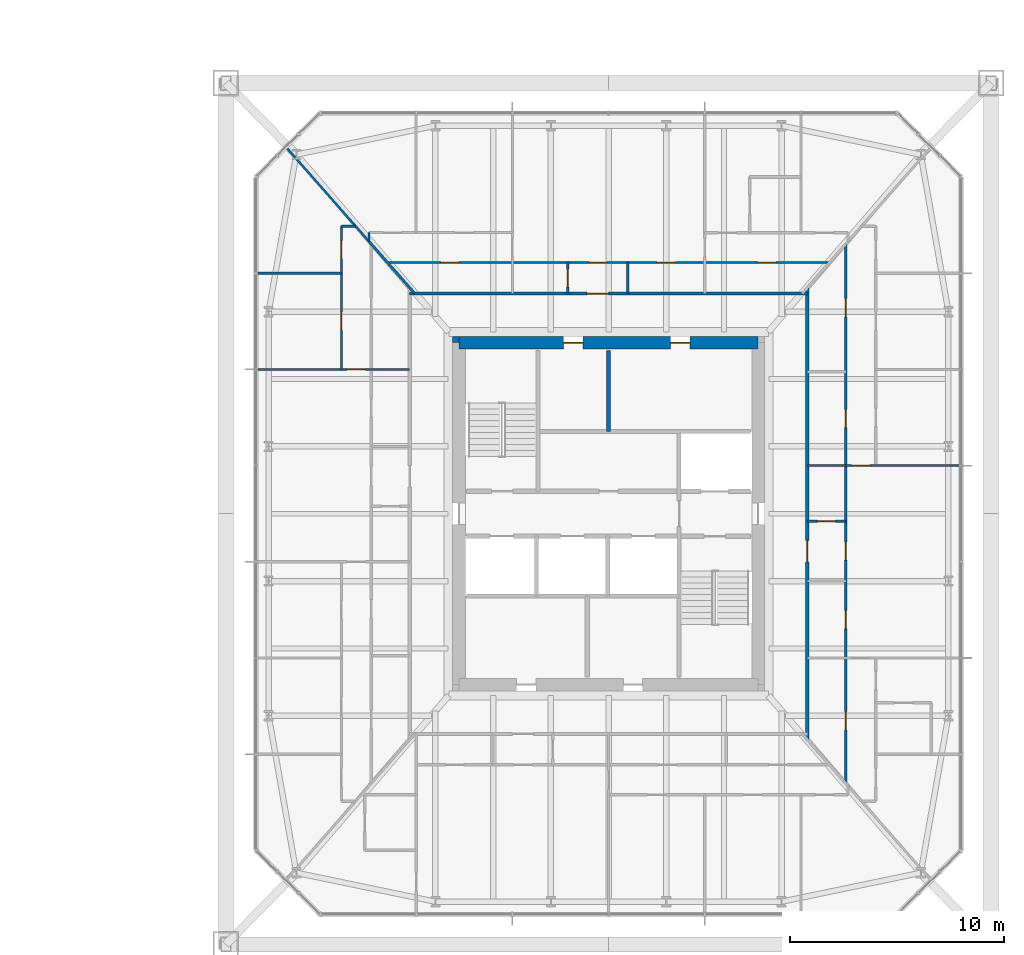
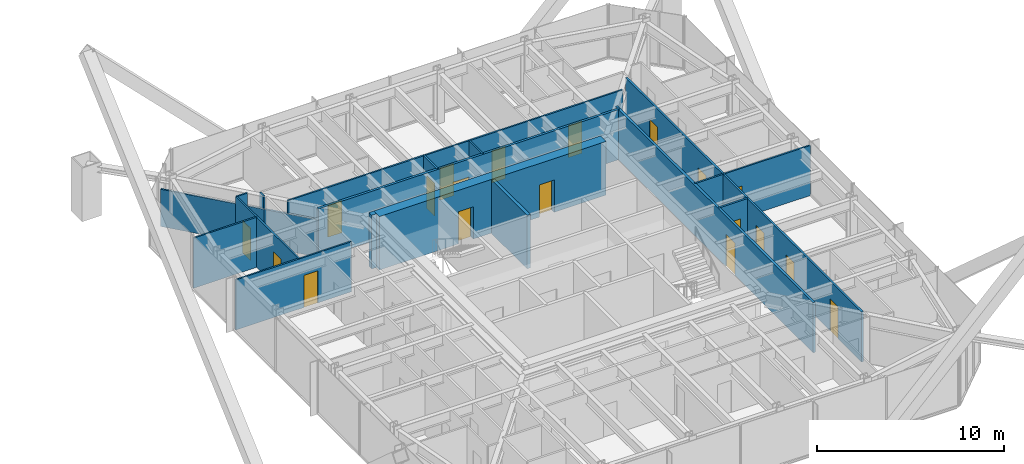
# One storey, part 21 of 27: 19 doors, 18 walls, 19 openings.
"""IFC4 building model written with IfcOpenShell, lengths in metres."""

from ifc_helpers import new_model, si_unit, direction, frame, frame_2d, origin, place, context, subcontext, project, spatial, rectangle, extrude, material, layer, layer_set, type_object, element, fill, save


model = new_model("IFC4")

# Units and contexts
model_context = context("Model", 3, precision=1e-05, world=origin(), true_north=direction((0.0, 1.0)))
body_context = subcontext(model_context, "Body", "Model", "MODEL_VIEW")
ifc_project = project(units=[si_unit("LENGTHUNIT", "METRE"), si_unit("AREAUNIT", "SQUARE_METRE"), si_unit("VOLUMEUNIT", "CUBIC_METRE"), si_unit("PLANEANGLEUNIT", "RADIAN"), si_unit("MASSUNIT", "GRAM", prefix="KILO")], contexts=[model_context])

# Site, building, storey
site_placement = place(None, origin())
site = spatial("IfcSite", under=ifc_project, at=site_placement, CompositionType="ELEMENT")
building_placement = place(site_placement, origin())
building = spatial("IfcBuilding", under=site, at=building_placement, Name="Iwan Alto Co-Living Towers", CompositionType="ELEMENT")
storey_placement = place(building_placement, frame((0.0, 0.0, 25.5)))
storey = spatial("IfcBuildingStorey", under=building, at=storey_placement, Name="L06", CompositionType="ELEMENT", Elevation=25.5)

# Wall, opening, door
ifc_material_1 = material(Name="Gypsum board")
ifc_layer_1 = layer(ifc_material_1, 0.02490234375, Name="Board", Category="Finish")
ifc_material_2 = material(Name="Steel ASTM A1003 ST33H cold-formed studs", Category="steel")
ifc_layer_2 = layer(ifc_material_2, 0.10009765625, Name="Studs", Category="Framing")
ifc_layer_3 = layer(ifc_material_1, 0.02490234375, Name="Board", Category="Finish")
ifc_layer_set_1 = layer_set([ifc_layer_1, ifc_layer_2, ifc_layer_3], Name="CORRIDOR WALL 150")
wall_type_1 = type_object("IfcWallType", Name="CORRIDOR WALL 150", PredefinedType="PARTITIONING", material=ifc_layer_set_1)
wall_1_placement = place(storey_placement, frame((53.699951171875, 10.300048828125, 0.0), z_axis=(0.0, 0.0, 1.0), x_axis=(1.0, 0.0, 0.0)))
wall_1 = element("IfcWall", 1, at=wall_1_placement, inside=storey, type_object=wall_type_1, Name="Partition L06", PredefinedType="PARTITIONING", context=body_context, shape_type="SweptSolid", body=[
    extrude(rectangle(XDim=18.60009765625, YDim=0.14990234375, at=frame_2d((9.300048828125, 0.0))), origin(), (0.0, 0.0, 1.0), 3.27001953125),
])
opening_1_placement = place(wall_1_placement, frame((8.300048828125, 0.0, 0.0)))
opening_1 = element("IfcOpeningElement", 2, at=opening_1_placement, cuts=wall_1, Name="Opening D3", PredefinedType="OPENING", context=body_context, shape_type="SweptSolid", body=[
    extrude(rectangle(XDim=1.0, YDim=2.10009765625, at=frame_2d((0.5, 1.050048828125))), frame((0.0, 0.0849609375, 0.0), z_axis=(0.0, -1.0, 0.0), x_axis=(1.0, 0.0, 0.0)), (0.0, 0.0, 1.0), 0.169921875),
])
ifc_material_3 = material(Name="Steel frame with timber leaf", Category="steel")
door_type_1 = type_object("IfcDoorType", Name="FLAT ENTRANCE DOOR FD30S 1000X2100", OperationType="SINGLE_SWING_LEFT", PredefinedType="DOOR", material=ifc_material_3)
door_1_placement = place(opening_1_placement, origin())
door_1 = element("IfcDoor", 3, at=door_1_placement, inside=storey, type_object=door_type_1, Name="Apartment foyer door L06", OperationType="SINGLE_SWING_LEFT", OverallHeight=2.10009765625, OverallWidth=1.0, PredefinedType="DOOR", context=body_context, shape_type="SweptSolid", body=[
    extrude(rectangle(XDim=1.0, YDim=2.10009765625, at=frame_2d((0.5, 1.050048828125))), frame((0.0, 0.02490234375, 0.0), z_axis=(0.0, -1.0, 0.0), x_axis=(1.0, 0.0, 0.0)), (0.0, 0.0, 1.0), 0.050048828125),
])
fill(opening_1, door_1)

wall_2_placement = place(storey_placement, frame((72.300048828125, -10.568115234375, 0.0), z_axis=(0.0, 0.0, 1.0), x_axis=(0.0, 1.0, 0.0)))
wall_2 = element("IfcWall", 4, at=wall_2_placement, inside=storey, type_object=wall_type_1, Name="Partition L06", PredefinedType="PARTITIONING", context=body_context, shape_type="SweptSolid", body=[
    extrude(rectangle(XDim=21.13623046875, YDim=0.14990234375, at=frame_2d((10.568115234375, 0.0))), origin(), (0.0, 0.0, 1.0), 3.27001953125),
])
opening_2_placement = place(wall_2_placement, frame((8.318115234375, 0.0, 0.0)))
opening_2 = element("IfcOpeningElement", 5, at=opening_2_placement, cuts=wall_2, Name="Opening D3", PredefinedType="OPENING", context=body_context, shape_type="SweptSolid", body=[
    extrude(rectangle(XDim=1.0, YDim=2.10009765625, at=frame_2d((0.5, 1.050048828125))), frame((0.0, 0.0849609375, 0.0), z_axis=(0.0, -1.0, 0.0), x_axis=(1.0, 0.0, 0.0)), (0.0, 0.0, 1.0), 0.169921875),
])
door_2_placement = place(opening_2_placement, frame((1.0, 0.0, 0.0), z_axis=(0.0, 0.0, 1.0), x_axis=(-1.0, 0.0, 0.0)))
door_2 = element("IfcDoor", 6, at=door_2_placement, inside=storey, type_object=door_type_1, Name="Apartment foyer door L06", OperationType="SINGLE_SWING_RIGHT", OverallHeight=2.10009765625, OverallWidth=1.0, PredefinedType="DOOR", context=body_context, shape_type="SweptSolid", body=[
    extrude(rectangle(XDim=1.0, YDim=2.10009765625, at=frame_2d((0.5, 1.050048828125))), frame((0.0, 0.02490234375, 0.0), z_axis=(0.0, -1.0, 0.0), x_axis=(1.0, 0.0, 0.0)), (0.0, 0.0, 1.0), 0.050048828125),
])
fill(opening_2, door_2)

ifc_layer_4 = layer(ifc_material_1, 0.012451171875, Name="Board", Category="Finish")
ifc_layer_5 = layer(ifc_material_2, 0.074951171875, Name="Studs", Category="Framing")
ifc_layer_6 = layer(ifc_material_1, 0.012451171875, Name="Board", Category="Finish")
ifc_layer_set_2 = layer_set([ifc_layer_4, ifc_layer_5, ifc_layer_6], Name="PARTITION 100")
wall_type_2 = type_object("IfcWallType", Name="PARTITION 100", PredefinedType="PARTITIONING", material=ifc_layer_set_2)
wall_3_placement = place(storey_placement, frame((72.300048828125, 2.25, 0.0), z_axis=(0.0, 0.0, 1.0), x_axis=(1.0, 0.0, 0.0)))
wall_3 = element("IfcWall", 7, at=wall_3_placement, inside=storey, type_object=wall_type_2, Name="Partition L06", PredefinedType="PARTITIONING", context=body_context, shape_type="SweptSolid", body=[
    extrude(rectangle(XDim=7.139892578125, YDim=0.10009765625, at=frame_2d((3.56982421875, 0.0))), origin(), (0.0, 0.0, 1.0), 3.27001953125),
])
opening_3_placement = place(wall_3_placement, frame((2.074951171875, 0.0, 0.0)))
opening_3 = element("IfcOpeningElement", 8, at=opening_3_placement, cuts=wall_3, Name="Opening D2", PredefinedType="OPENING", context=body_context, shape_type="SweptSolid", body=[
    extrude(rectangle(XDim=0.85009765625, YDim=2.10009765625, at=frame_2d((0.425048828125, 1.050048828125))), frame((0.0, 0.06005859375, 0.0), z_axis=(0.0, -1.0, 0.0), x_axis=(1.0, 0.0, 0.0)), (0.0, 0.0, 1.0), 0.1201171875),
])
ifc_material_4 = material(Name="Timber leaf in steel frame", Category="steel")
door_type_2 = type_object("IfcDoorType", Name="ROOM DOOR 850X2100", OperationType="SINGLE_SWING_LEFT", PredefinedType="DOOR", material=ifc_material_4)
door_3_placement = place(opening_3_placement, frame((0.85009765625, 0.0, 0.0), z_axis=(0.0, 0.0, 1.0), x_axis=(-1.0, 0.0, 0.0)))
door_3 = element("IfcDoor", 9, at=door_3_placement, inside=storey, type_object=door_type_2, Name="Apartment hall door L06", OperationType="SINGLE_SWING_RIGHT", OverallHeight=2.10009765625, OverallWidth=0.85009765625, PredefinedType="DOOR", context=body_context, shape_type="SweptSolid", body=[
    extrude(rectangle(XDim=0.85009765625, YDim=2.10009765625, at=frame_2d((0.425048828125, 1.050048828125))), frame((0.0, 0.02490234375, 0.0), z_axis=(0.0, -1.0, 0.0), x_axis=(1.0, 0.0, 0.0)), (0.0, 0.0, 1.0), 0.050048828125),
])
fill(opening_3, door_3)

wall_4_placement = place(storey_placement, frame((46.56005859375, 6.75, 0.0), z_axis=(0.0, 0.0, 1.0), x_axis=(1.0, 0.0, 0.0)))
wall_4 = element("IfcWall", 10, at=wall_4_placement, inside=storey, type_object=wall_type_2, Name="Partition L06", PredefinedType="PARTITIONING", context=body_context, shape_type="SweptSolid", body=[
    extrude(rectangle(XDim=7.139892578125, YDim=0.10009765625, at=frame_2d((3.56982421875, 0.0))), origin(), (0.0, 0.0, 1.0), 3.27001953125),
])
opening_4_placement = place(wall_4_placement, frame((4.215087890625, 0.0, 0.0)))
opening_4 = element("IfcOpeningElement", 11, at=opening_4_placement, cuts=wall_4, Name="Opening D2", PredefinedType="OPENING", context=body_context, shape_type="SweptSolid", body=[
    extrude(rectangle(XDim=0.85009765625, YDim=2.10009765625, at=frame_2d((0.425048828125, 1.050048828125))), frame((0.0, 0.06005859375, 0.0), z_axis=(0.0, -1.0, 0.0), x_axis=(1.0, 0.0, 0.0)), (0.0, 0.0, 1.0), 0.1201171875),
])
door_4_placement = place(opening_4_placement, frame((0.85009765625, 0.0, 0.0), z_axis=(0.0, 0.0, 1.0), x_axis=(-1.0, 0.0, 0.0)))
door_4 = element("IfcDoor", 12, at=door_4_placement, inside=storey, type_object=door_type_2, Name="Apartment hall door L06", OperationType="SINGLE_SWING_LEFT", OverallHeight=2.10009765625, OverallWidth=0.85009765625, PredefinedType="DOOR", context=body_context, shape_type="SweptSolid", body=[
    extrude(rectangle(XDim=0.85009765625, YDim=2.10009765625, at=frame_2d((0.425048828125, 1.050048828125))), frame((0.0, 0.02490234375, 0.0), z_axis=(0.0, -1.0, 0.0), x_axis=(1.0, 0.0, 0.0)), (0.0, 0.0, 1.0), 0.050048828125),
])
fill(opening_4, door_4)

# Wall
wall_5_placement = place(storey_placement, frame((46.56005859375, 11.25, 0.0), z_axis=(0.0, 0.0, 1.0), x_axis=(1.0, 0.0, 0.0)))
element("IfcWall", 13, at=wall_5_placement, inside=storey, type_object=wall_type_2, Name="Partition L06", PredefinedType="PARTITIONING", context=body_context, shape_type="SweptSolid", body=[
    extrude(rectangle(XDim=3.93994140625, YDim=0.10009765625, at=frame_2d((1.969970703125, 0.0))), origin(), (0.0, 0.0, 1.0), 3.27001953125),
])

# Wall, openings, doors
wall_6_placement = place(storey_placement, frame((52.659912109375, 11.75, 0.0), z_axis=(0.0, 0.0, 1.0), x_axis=(1.0, 0.0, 0.0)))
wall_6 = element("IfcWall", 14, at=wall_6_placement, inside=storey, type_object=wall_type_2, Name="Partition L06", PredefinedType="PARTITIONING", context=body_context, shape_type="SweptSolid", body=[
    extrude(rectangle(XDim=20.68017578125, YDim=0.10009765625, at=frame_2d((10.340087890625, 0.0))), origin(), (0.0, 0.0, 1.0), 3.27001953125),
])
opening_5_placement = place(wall_6_placement, frame((12.614990234375, 0.0, 0.0)))
opening_5 = element("IfcOpeningElement", 15, at=opening_5_placement, cuts=wall_6, Name="Opening D2", PredefinedType="OPENING", context=body_context, shape_type="SweptSolid", body=[
    extrude(rectangle(XDim=0.85009765625, YDim=2.10009765625, at=frame_2d((0.425048828125, 1.050048828125))), frame((0.0, 0.06005859375, 0.0), z_axis=(0.0, -1.0, 0.0), x_axis=(1.0, 0.0, 0.0)), (0.0, 0.0, 1.0), 0.1201171875),
])
opening_6_placement = place(wall_6_placement, frame((9.4150390625, 0.0, 0.0)))
opening_6 = element("IfcOpeningElement", 16, at=opening_6_placement, cuts=wall_6, Name="Opening D2", PredefinedType="OPENING", context=body_context, shape_type="SweptSolid", body=[
    extrude(rectangle(XDim=0.85009765625, YDim=2.10009765625, at=frame_2d((0.425048828125, 1.050048828125))), frame((0.0, 0.06005859375, 0.0), z_axis=(0.0, -1.0, 0.0), x_axis=(1.0, 0.0, 0.0)), (0.0, 0.0, 1.0), 0.1201171875),
])
opening_7_placement = place(wall_6_placement, frame((17.3349609375, 0.0, 0.0)))
opening_7 = element("IfcOpeningElement", 17, at=opening_7_placement, cuts=wall_6, Name="Opening D2", PredefinedType="OPENING", context=body_context, shape_type="SweptSolid", body=[
    extrude(rectangle(XDim=0.85009765625, YDim=2.10009765625, at=frame_2d((0.425048828125, 1.050048828125))), frame((0.0, 0.06005859375, 0.0), z_axis=(0.0, -1.0, 0.0), x_axis=(1.0, 0.0, 0.0)), (0.0, 0.0, 1.0), 0.1201171875),
])
opening_8_placement = place(wall_6_placement, frame((2.4951171875, 0.0, 0.0)))
opening_8 = element("IfcOpeningElement", 18, at=opening_8_placement, cuts=wall_6, Name="Opening D2", PredefinedType="OPENING", context=body_context, shape_type="SweptSolid", body=[
    extrude(rectangle(XDim=0.85009765625, YDim=2.10009765625, at=frame_2d((0.425048828125, 1.050048828125))), frame((0.0, 0.06005859375, 0.0), z_axis=(0.0, -1.0, 0.0), x_axis=(1.0, 0.0, 0.0)), (0.0, 0.0, 1.0), 0.1201171875),
])
door_5_placement = place(opening_5_placement, origin())
door_5 = element("IfcDoor", 19, at=door_5_placement, inside=storey, type_object=door_type_2, Name="Kitchen door L06", OperationType="SINGLE_SWING_RIGHT", OverallHeight=2.10009765625, OverallWidth=0.85009765625, PredefinedType="DOOR", context=body_context, shape_type="SweptSolid", body=[
    extrude(rectangle(XDim=0.85009765625, YDim=2.10009765625, at=frame_2d((0.425048828125, 1.050048828125))), frame((0.0, 0.02490234375, 0.0), z_axis=(0.0, -1.0, 0.0), x_axis=(1.0, 0.0, 0.0)), (0.0, 0.0, 1.0), 0.050048828125),
])
fill(opening_5, door_5)
door_6_placement = place(opening_6_placement, origin())
door_6 = element("IfcDoor", 20, at=door_6_placement, inside=storey, type_object=door_type_2, Name="Apartment foyer door L06", OperationType="SINGLE_SWING_LEFT", OverallHeight=2.10009765625, OverallWidth=0.85009765625, PredefinedType="DOOR", context=body_context, shape_type="SweptSolid", body=[
    extrude(rectangle(XDim=0.85009765625, YDim=2.10009765625, at=frame_2d((0.425048828125, 1.050048828125))), frame((0.0, 0.02490234375, 0.0), z_axis=(0.0, -1.0, 0.0), x_axis=(1.0, 0.0, 0.0)), (0.0, 0.0, 1.0), 0.050048828125),
])
fill(opening_6, door_6)
door_7_placement = place(opening_7_placement, frame((0.85009765625, 0.0, 0.0), z_axis=(0.0, 0.0, 1.0), x_axis=(-1.0, 0.0, 0.0)))
door_7 = element("IfcDoor", 21, at=door_7_placement, inside=storey, type_object=door_type_2, Name="Utility room door L06", OperationType="SINGLE_SWING_LEFT", OverallHeight=2.10009765625, OverallWidth=0.85009765625, PredefinedType="DOOR", context=body_context, shape_type="SweptSolid", body=[
    extrude(rectangle(XDim=0.85009765625, YDim=2.10009765625, at=frame_2d((0.425048828125, 1.050048828125))), frame((0.0, 0.02490234375, 0.0), z_axis=(0.0, -1.0, 0.0), x_axis=(1.0, 0.0, 0.0)), (0.0, 0.0, 1.0), 0.050048828125),
])
fill(opening_7, door_7)
door_8_placement = place(opening_8_placement, frame((0.85009765625, 0.0, 0.0), z_axis=(0.0, 0.0, 1.0), x_axis=(-1.0, 0.0, 0.0)))
door_8 = element("IfcDoor", 22, at=door_8_placement, inside=storey, type_object=door_type_2, Name="Utility room door L06", OperationType="SINGLE_SWING_RIGHT", OverallHeight=2.10009765625, OverallWidth=0.85009765625, PredefinedType="DOOR", context=body_context, shape_type="SweptSolid", body=[
    extrude(rectangle(XDim=0.85009765625, YDim=2.10009765625, at=frame_2d((0.425048828125, 1.050048828125))), frame((0.0, 0.02490234375, 0.0), z_axis=(0.0, -1.0, 0.0), x_axis=(1.0, 0.0, 0.0)), (0.0, 0.0, 1.0), 0.050048828125),
])
fill(opening_8, door_8)

# Walls
wall_7_placement = place(storey_placement, frame((50.5, 13.449951171875, 0.0), z_axis=(0.0, 0.0, 1.0), x_axis=(1.0, 0.0, 0.0)))
element("IfcWall", 23, at=wall_7_placement, inside=storey, type_object=wall_type_2, Name="Partition L06", PredefinedType="PARTITIONING", context=body_context, shape_type="SweptSolid", body=[
    extrude(rectangle(XDim=0.6640625, YDim=0.10009765625, at=frame_2d((0.33203125, 0.0))), origin(), (0.0, 0.0, 1.0), 3.27001953125),
])
wall_8_placement = place(storey_placement, frame((63.89990234375, 10.300048828125, 0.0), z_axis=(0.0, 0.0, 1.0), x_axis=(0.0, 1.0, 0.0)))
element("IfcWall", 24, at=wall_8_placement, inside=storey, type_object=wall_type_2, Name="Partition L06", PredefinedType="PARTITIONING", context=body_context, shape_type="SweptSolid", body=[
    extrude(rectangle(XDim=1.449951171875, YDim=0.10009765625, at=frame_2d((0.72509765625, 0.0))), origin(), (0.0, 0.0, 1.0), 3.27001953125),
])
wall_9_placement = place(storey_placement, frame((51.800048828125, 12.72705078125, 0.0), z_axis=(0.0, 0.0, 1.0), x_axis=(0.0, 1.0, 0.0)))
element("IfcWall", 25, at=wall_9_placement, inside=storey, type_object=wall_type_2, Name="Partition L06", PredefinedType="PARTITIONING", context=body_context, shape_type="SweptSolid", body=[
    extrude(rectangle(XDim=0.4228515625, YDim=0.10009765625, at=frame_2d((0.21142578125, 0.0))), origin(), (0.0, 0.0, 1.0), 3.27001953125),
])

# Wall, openings, doors
wall_10_placement = place(storey_placement, frame((50.5, 6.75, 0.0), z_axis=(0.0, 0.0, 1.0), x_axis=(0.0, 1.0, 0.0)))
wall_10 = element("IfcWall", 26, at=wall_10_placement, inside=storey, type_object=wall_type_2, Name="Partition L06", PredefinedType="PARTITIONING", context=body_context, shape_type="SweptSolid", body=[
    extrude(rectangle(XDim=6.699951171875, YDim=0.10009765625, at=frame_2d((3.35009765625, 0.0))), origin(), (0.0, 0.0, 1.0), 3.27001953125),
])
opening_9_placement = place(wall_10_placement, frame((1.824951171875, 0.0, 0.0)))
opening_9 = element("IfcOpeningElement", 27, at=opening_9_placement, cuts=wall_10, Name="Opening D2", PredefinedType="OPENING", context=body_context, shape_type="SweptSolid", body=[
    extrude(rectangle(XDim=0.85009765625, YDim=2.10009765625, at=frame_2d((0.425048828125, 1.050048828125))), frame((0.0, 0.06005859375, 0.0), z_axis=(0.0, -1.0, 0.0), x_axis=(1.0, 0.0, 0.0)), (0.0, 0.0, 1.0), 0.1201171875),
])
opening_10_placement = place(wall_10_placement, frame((5.175048828125, 0.0, 0.0)))
opening_10 = element("IfcOpeningElement", 28, at=opening_10_placement, cuts=wall_10, Name="Opening D2", PredefinedType="OPENING", context=body_context, shape_type="SweptSolid", body=[
    extrude(rectangle(XDim=0.85009765625, YDim=2.10009765625, at=frame_2d((0.425048828125, 1.050048828125))), frame((0.0, 0.06005859375, 0.0), z_axis=(0.0, -1.0, 0.0), x_axis=(1.0, 0.0, 0.0)), (0.0, 0.0, 1.0), 0.1201171875),
])
door_9_placement = place(opening_9_placement, origin())
door_9 = element("IfcDoor", 29, at=door_9_placement, inside=storey, type_object=door_type_2, Name="Study door L06", OperationType="SINGLE_SWING_LEFT", OverallHeight=2.10009765625, OverallWidth=0.85009765625, PredefinedType="DOOR", context=body_context, shape_type="SweptSolid", body=[
    extrude(rectangle(XDim=0.85009765625, YDim=2.10009765625, at=frame_2d((0.425048828125, 1.050048828125))), frame((0.0, 0.02490234375, 0.0), z_axis=(0.0, -1.0, 0.0), x_axis=(1.0, 0.0, 0.0)), (0.0, 0.0, 1.0), 0.050048828125),
])
fill(opening_9, door_9)
door_10_placement = place(opening_10_placement, origin())
door_10 = element("IfcDoor", 30, at=door_10_placement, inside=storey, type_object=door_type_2, Name="Bedroom door L06", OperationType="SINGLE_SWING_LEFT", OverallHeight=2.10009765625, OverallWidth=0.85009765625, PredefinedType="DOOR", context=body_context, shape_type="SweptSolid", body=[
    extrude(rectangle(XDim=0.85009765625, YDim=2.10009765625, at=frame_2d((0.425048828125, 1.050048828125))), frame((0.0, 0.02490234375, 0.0), z_axis=(0.0, -1.0, 0.0), x_axis=(1.0, 0.0, 0.0)), (0.0, 0.0, 1.0), 0.050048828125),
])
fill(opening_10, door_10)

# Walls
wall_11_placement = place(storey_placement, frame((51.801025390625, 12.72802734375, 0.0), z_axis=(0.0, 0.0, 1.0), x_axis=(-0.660356300202, 0.750952433103, 0.0)))
element("IfcWall", 31, at=wall_11_placement, inside=storey, type_object=wall_type_2, Name="Partition L06", PredefinedType="PARTITIONING", context=body_context, shape_type="SweptSolid", body=[
    extrude(rectangle(XDim=5.8369140625, YDim=0.10009765625, at=frame_2d((2.91845703125, 0.0))), origin(), (0.0, 0.0, 1.0), 2.42919921875),
])
ifc_material_5 = material(Name="Concrete f'c 70 MPa", Category="concrete")
ifc_layer_7 = layer(ifc_material_5, 0.199951171875)
ifc_layer_set_3 = layer_set([ifc_layer_7], Name="SHAFT WALL 200")
wall_type_3 = type_object("IfcWallType", Name="SHAFT WALL 200", PredefinedType="SOLIDWALL", material=ifc_layer_set_3)
wall_12_placement = place(storey_placement, frame((63.0, 3.85009765625, 0.0), z_axis=(0.0, 0.0, 1.0), x_axis=(0.0, 1.0, 0.0)))
element("IfcWall", 32, at=wall_12_placement, inside=storey, type_object=wall_type_3, Name="Shaft wall L06", PredefinedType="SOLIDWALL", context=body_context, shape_type="SweptSolid", body=[
    extrude(rectangle(XDim=3.789794921875, YDim=0.199951171875, at=frame_2d((1.89501953125, 0.0))), origin(), (0.0, 0.0, 1.0), 3.5),
])
ifc_material_6 = material(Name="Concrete f'c 70 MPa", Category="concrete")
ifc_layer_8 = layer(ifc_material_6, 0.300048828125)
ifc_layer_set_4 = layer_set([ifc_layer_8], Name="T2 CORE CORNER FILL 300")
wall_type_4 = type_object("IfcWallType", Name="T2 CORE CORNER FILL 300", PredefinedType="SOLIDWALL", material=ifc_layer_set_4)
wall_13_placement = place(storey_placement, frame((55.699951171875, 8.14990234375, 0.0), z_axis=(0.0, 0.0, 1.0), x_axis=(1.0, 0.0, 0.0)))
element("IfcWall", 33, at=wall_13_placement, inside=storey, type_object=wall_type_4, Name="T2 core corner NW L06", PredefinedType="SOLIDWALL", context=body_context, shape_type="SweptSolid", body=[
    extrude(rectangle(XDim=0.300048828125, YDim=0.300048828125, at=frame_2d((0.14990234375, 0.0))), origin(), (0.0, 0.0, 1.0), 3.5),
])

# Wall, openings, doors
ifc_material_7 = material(Name="Concrete f'c 70 MPa", Category="concrete")
ifc_layer_9 = layer(ifc_material_7, 0.60009765625)
ifc_layer_set_5 = layer_set([ifc_layer_9], Name="T2 CORE WALL 600")
wall_type_5 = type_object("IfcWallType", Name="T2 CORE WALL 600", PredefinedType="SHEAR", material=ifc_layer_set_5)
wall_14_placement = place(storey_placement, frame((70.0, 8.0, 0.0), z_axis=(0.0, 0.0, 1.0), x_axis=(-1.0, 0.0, 0.0)))
wall_14 = element("IfcWall", 34, at=wall_14_placement, inside=storey, type_object=wall_type_5, Name="T2 core wall N L06", PredefinedType="SHEAR", context=body_context, shape_type="SweptSolid", body=[
    extrude(rectangle(XDim=14.0, YDim=0.60009765625, at=frame_2d((7.0, 0.0))), origin(), (0.0, 0.0, 1.0), 3.5),
])
opening_11_placement = place(wall_14_placement, frame((8.199951171875, 0.0, 0.0)))
opening_11 = element("IfcOpeningElement", 35, at=opening_11_placement, cuts=wall_14, Name="Opening D8", PredefinedType="OPENING", context=body_context, shape_type="SweptSolid", body=[
    extrude(rectangle(XDim=0.89990234375, YDim=2.10009765625, at=frame_2d((0.449951171875, 1.050048828125))), frame((0.0, 0.31005859375, 0.0), z_axis=(0.0, -1.0, 0.0), x_axis=(1.0, 0.0, 0.0)), (0.0, 0.0, 1.0), 0.6201171875),
])
opening_12_placement = place(wall_14_placement, frame((3.199951171875, 0.0, 0.0)))
opening_12 = element("IfcOpeningElement", 36, at=opening_12_placement, cuts=wall_14, Name="Opening D8", PredefinedType="OPENING", context=body_context, shape_type="SweptSolid", body=[
    extrude(rectangle(XDim=0.89990234375, YDim=2.10009765625, at=frame_2d((0.449951171875, 1.050048828125))), frame((0.0, 0.31005859375, 0.0), z_axis=(0.0, -1.0, 0.0), x_axis=(1.0, 0.0, 0.0)), (0.0, 0.0, 1.0), 0.6201171875),
])
ifc_material_8 = material(Name="Steel frame with timber leaf", Category="steel")
door_type_3 = type_object("IfcDoorType", Name="RISER DOOR FD120 900X2100", OperationType="SINGLE_SWING_LEFT", PredefinedType="DOOR", material=ifc_material_8)
door_11_placement = place(opening_11_placement, origin())
door_11 = element("IfcDoor", 37, at=door_11_placement, inside=storey, type_object=door_type_3, Name="Electrical riser core door L06", OperationType="SINGLE_SWING_RIGHT", OverallHeight=2.10009765625, OverallWidth=0.89990234375, PredefinedType="DOOR", context=body_context, shape_type="SweptSolid", body=[
    extrude(rectangle(XDim=0.89990234375, YDim=2.10009765625, at=frame_2d((0.449951171875, 1.050048828125))), frame((0.0, 0.02490234375, 0.0), z_axis=(0.0, -1.0, 0.0), x_axis=(1.0, 0.0, 0.0)), (0.0, 0.0, 1.0), 0.050048828125),
])
fill(opening_11, door_11)
door_12_placement = place(opening_12_placement, origin())
door_12 = element("IfcDoor", 38, at=door_12_placement, inside=storey, type_object=door_type_3, Name="Water and drainage riser core door L06", OperationType="SINGLE_SWING_RIGHT", OverallHeight=2.10009765625, OverallWidth=0.89990234375, PredefinedType="DOOR", context=body_context, shape_type="SweptSolid", body=[
    extrude(rectangle(XDim=0.89990234375, YDim=2.10009765625, at=frame_2d((0.449951171875, 1.050048828125))), frame((0.0, 0.02490234375, 0.0), z_axis=(0.0, -1.0, 0.0), x_axis=(1.0, 0.0, 0.0)), (0.0, 0.0, 1.0), 0.050048828125),
])
fill(opening_12, door_12)

# Wall, opening, door
ifc_material_9 = material(Name="Cement board")
ifc_layer_10 = layer(ifc_material_9, 0.012451171875, Name="Board", Category="Finish")
ifc_layer_11 = layer(ifc_material_2, 0.094970703125, Name="Studs", Category="Framing")
ifc_layer_12 = layer(ifc_material_9, 0.012451171875, Name="Board", Category="Finish")
ifc_layer_set_6 = layer_set([ifc_layer_10, ifc_layer_11, ifc_layer_12], Name="WET AREA PARTITION 120")
wall_type_6 = type_object("IfcWallType", Name="WET AREA PARTITION 120", PredefinedType="PARTITIONING", material=ifc_layer_set_6)
wall_15_placement = place(storey_placement, frame((72.300048828125, -0.35009765625, 0.0), z_axis=(0.0, 0.0, 1.0), x_axis=(1.0, 0.0, 0.0)))
wall_15 = element("IfcWall", 39, at=wall_15_placement, inside=storey, type_object=wall_type_6, Name="Partition L06", PredefinedType="PARTITIONING", context=body_context, shape_type="SweptSolid", body=[
    extrude(rectangle(XDim=1.800048828125, YDim=0.1201171875, at=frame_2d((0.89990234375, 0.0))), origin(), (0.0, 0.0, 1.0), 3.27001953125),
])
opening_13_placement = place(wall_15_placement, frame((0.47509765625, 0.0, 0.0)))
opening_13 = element("IfcOpeningElement", 40, at=opening_13_placement, cuts=wall_15, Name="Opening D2", PredefinedType="OPENING", context=body_context, shape_type="SweptSolid", body=[
    extrude(rectangle(XDim=0.85009765625, YDim=2.10009765625, at=frame_2d((0.425048828125, 1.050048828125))), frame((0.0, 0.070068359375, 0.0), z_axis=(0.0, -1.0, 0.0), x_axis=(1.0, 0.0, 0.0)), (0.0, 0.0, 1.0), 0.14013671875),
])
door_13_placement = place(opening_13_placement, origin())
door_13 = element("IfcDoor", 41, at=door_13_placement, inside=storey, type_object=door_type_2, Name="Bathroom door L06", OperationType="SINGLE_SWING_LEFT", OverallHeight=2.10009765625, OverallWidth=0.85009765625, PredefinedType="DOOR", context=body_context, shape_type="SweptSolid", body=[
    extrude(rectangle(XDim=0.85009765625, YDim=2.10009765625, at=frame_2d((0.425048828125, 1.050048828125))), frame((0.0, 0.02490234375, 0.0), z_axis=(0.0, -1.0, 0.0), x_axis=(1.0, 0.0, 0.0)), (0.0, 0.0, 1.0), 0.050048828125),
])
fill(opening_13, door_13)

# Wall, openings, doors
wall_16_placement = place(storey_placement, frame((74.10009765625, -12.614013671875, 0.0), z_axis=(0.0, 0.0, 1.0), x_axis=(0.0, 1.0, 0.0)))
wall_16 = element("IfcWall", 42, at=wall_16_placement, inside=storey, type_object=wall_type_6, Name="Partition L06", PredefinedType="PARTITIONING", context=body_context, shape_type="SweptSolid", body=[
    extrude(rectangle(XDim=25.22802734375, YDim=0.1201171875, at=frame_2d((12.614013671875, 0.0))), origin(), (0.0, 0.0, 1.0), 3.27001953125),
])
opening_14_placement = place(wall_16_placement, frame((7.239013671875, 0.0, 0.0)))
opening_14 = element("IfcOpeningElement", 43, at=opening_14_placement, cuts=wall_16, Name="Opening D2", PredefinedType="OPENING", context=body_context, shape_type="SweptSolid", body=[
    extrude(rectangle(XDim=0.85009765625, YDim=2.10009765625, at=frame_2d((0.425048828125, 1.050048828125))), frame((0.0, 0.070068359375, 0.0), z_axis=(0.0, -1.0, 0.0), x_axis=(1.0, 0.0, 0.0)), (0.0, 0.0, 1.0), 0.14013671875),
])
opening_15_placement = place(wall_16_placement, frame((10.43896484375, 0.0, 0.0)))
opening_15 = element("IfcOpeningElement", 44, at=opening_15_placement, cuts=wall_16, Name="Opening D2", PredefinedType="OPENING", context=body_context, shape_type="SweptSolid", body=[
    extrude(rectangle(XDim=0.85009765625, YDim=2.10009765625, at=frame_2d((0.425048828125, 1.050048828125))), frame((0.0, 0.070068359375, 0.0), z_axis=(0.0, -1.0, 0.0), x_axis=(1.0, 0.0, 0.0)), (0.0, 0.0, 1.0), 0.14013671875),
])
opening_16_placement = place(wall_16_placement, frame((2.507080078125, 0.0, 0.0)))
opening_16 = element("IfcOpeningElement", 45, at=opening_16_placement, cuts=wall_16, Name="Opening D2", PredefinedType="OPENING", context=body_context, shape_type="SweptSolid", body=[
    extrude(rectangle(XDim=0.85009765625, YDim=2.10009765625, at=frame_2d((0.425048828125, 1.050048828125))), frame((0.0, 0.070068359375, 0.0), z_axis=(0.0, -1.0, 0.0), x_axis=(1.0, 0.0, 0.0)), (0.0, 0.0, 1.0), 0.14013671875),
])
opening_17_placement = place(wall_16_placement, frame((16.638916015625, 0.0, 0.0)))
opening_17 = element("IfcOpeningElement", 46, at=opening_17_placement, cuts=wall_16, Name="Opening D2", PredefinedType="OPENING", context=body_context, shape_type="SweptSolid", body=[
    extrude(rectangle(XDim=0.85009765625, YDim=2.10009765625, at=frame_2d((0.425048828125, 1.050048828125))), frame((0.0, 0.070068359375, 0.0), z_axis=(0.0, -1.0, 0.0), x_axis=(1.0, 0.0, 0.0)), (0.0, 0.0, 1.0), 0.14013671875),
])
opening_18_placement = place(wall_16_placement, frame((21.821044921875, 0.0, 0.0)))
opening_18 = element("IfcOpeningElement", 47, at=opening_18_placement, cuts=wall_16, Name="Opening D2", PredefinedType="OPENING", context=body_context, shape_type="SweptSolid", body=[
    extrude(rectangle(XDim=0.85009765625, YDim=2.10009765625, at=frame_2d((0.425048828125, 1.050048828125))), frame((0.0, 0.070068359375, 0.0), z_axis=(0.0, -1.0, 0.0), x_axis=(1.0, 0.0, 0.0)), (0.0, 0.0, 1.0), 0.14013671875),
])
door_14_placement = place(opening_14_placement, frame((0.85009765625, 0.0, 0.0), z_axis=(0.0, 0.0, 1.0), x_axis=(-1.0, 0.0, 0.0)))
door_14 = element("IfcDoor", 48, at=door_14_placement, inside=storey, type_object=door_type_2, Name="Kitchen door L06", OperationType="SINGLE_SWING_RIGHT", OverallHeight=2.10009765625, OverallWidth=0.85009765625, PredefinedType="DOOR", context=body_context, shape_type="SweptSolid", body=[
    extrude(rectangle(XDim=0.85009765625, YDim=2.10009765625, at=frame_2d((0.425048828125, 1.050048828125))), frame((0.0, 0.02490234375, 0.0), z_axis=(0.0, -1.0, 0.0), x_axis=(1.0, 0.0, 0.0)), (0.0, 0.0, 1.0), 0.050048828125),
])
fill(opening_14, door_14)
door_15_placement = place(opening_15_placement, frame((0.85009765625, 0.0, 0.0), z_axis=(0.0, 0.0, 1.0), x_axis=(-1.0, 0.0, 0.0)))
door_15 = element("IfcDoor", 49, at=door_15_placement, inside=storey, type_object=door_type_2, Name="Apartment foyer door L06", OperationType="SINGLE_SWING_LEFT", OverallHeight=2.10009765625, OverallWidth=0.85009765625, PredefinedType="DOOR", context=body_context, shape_type="SweptSolid", body=[
    extrude(rectangle(XDim=0.85009765625, YDim=2.10009765625, at=frame_2d((0.425048828125, 1.050048828125))), frame((0.0, 0.02490234375, 0.0), z_axis=(0.0, -1.0, 0.0), x_axis=(1.0, 0.0, 0.0)), (0.0, 0.0, 1.0), 0.050048828125),
])
fill(opening_15, door_15)
door_16_placement = place(opening_16_placement, origin())
door_16 = element("IfcDoor", 50, at=door_16_placement, inside=storey, type_object=door_type_2, Name="Utility room door L06", OperationType="SINGLE_SWING_LEFT", OverallHeight=2.10009765625, OverallWidth=0.85009765625, PredefinedType="DOOR", context=body_context, shape_type="SweptSolid", body=[
    extrude(rectangle(XDim=0.85009765625, YDim=2.10009765625, at=frame_2d((0.425048828125, 1.050048828125))), frame((0.0, 0.02490234375, 0.0), z_axis=(0.0, -1.0, 0.0), x_axis=(1.0, 0.0, 0.0)), (0.0, 0.0, 1.0), 0.050048828125),
])
fill(opening_16, door_16)
door_17_placement = place(opening_17_placement, origin())
door_17 = element("IfcDoor", 51, at=door_17_placement, inside=storey, type_object=door_type_2, Name="Utility room door L06", OperationType="SINGLE_SWING_LEFT", OverallHeight=2.10009765625, OverallWidth=0.85009765625, PredefinedType="DOOR", context=body_context, shape_type="SweptSolid", body=[
    extrude(rectangle(XDim=0.85009765625, YDim=2.10009765625, at=frame_2d((0.425048828125, 1.050048828125))), frame((0.0, 0.02490234375, 0.0), z_axis=(0.0, -1.0, 0.0), x_axis=(1.0, 0.0, 0.0)), (0.0, 0.0, 1.0), 0.050048828125),
])
fill(opening_17, door_17)
door_18_placement = place(opening_18_placement, origin())
door_18 = element("IfcDoor", 52, at=door_18_placement, inside=storey, type_object=door_type_2, Name="Store room door L06", OperationType="SINGLE_SWING_RIGHT", OverallHeight=2.10009765625, OverallWidth=0.85009765625, PredefinedType="DOOR", context=body_context, shape_type="SweptSolid", body=[
    extrude(rectangle(XDim=0.85009765625, YDim=2.10009765625, at=frame_2d((0.425048828125, 1.050048828125))), frame((0.0, 0.02490234375, 0.0), z_axis=(0.0, -1.0, 0.0), x_axis=(1.0, 0.0, 0.0)), (0.0, 0.0, 1.0), 0.050048828125),
])
fill(opening_18, door_18)

# Wall, opening, door
wall_17_placement = place(storey_placement, frame((61.10009765625, 10.300048828125, 0.0), z_axis=(0.0, 0.0, 1.0), x_axis=(0.0, 1.0, 0.0)))
wall_17 = element("IfcWall", 53, at=wall_17_placement, inside=storey, type_object=wall_type_6, Name="Partition L06", PredefinedType="PARTITIONING", context=body_context, shape_type="SweptSolid", body=[
    extrude(rectangle(XDim=1.449951171875, YDim=0.1201171875, at=frame_2d((0.72509765625, 0.0))), origin(), (0.0, 0.0, 1.0), 3.27001953125),
])
opening_19_placement = place(wall_17_placement, frame((0.300048828125, 0.0, 0.0)))
opening_19 = element("IfcOpeningElement", 54, at=opening_19_placement, cuts=wall_17, Name="Opening D2", PredefinedType="OPENING", context=body_context, shape_type="SweptSolid", body=[
    extrude(rectangle(XDim=0.85009765625, YDim=2.10009765625, at=frame_2d((0.425048828125, 1.050048828125))), frame((0.0, 0.070068359375, 0.0), z_axis=(0.0, -1.0, 0.0), x_axis=(1.0, 0.0, 0.0)), (0.0, 0.0, 1.0), 0.14013671875),
])
door_19_placement = place(opening_19_placement, origin())
door_19 = element("IfcDoor", 55, at=door_19_placement, inside=storey, type_object=door_type_2, Name="Shower room door L06", OperationType="SINGLE_SWING_LEFT", OverallHeight=2.10009765625, OverallWidth=0.85009765625, PredefinedType="DOOR", context=body_context, shape_type="SweptSolid", body=[
    extrude(rectangle(XDim=0.85009765625, YDim=2.10009765625, at=frame_2d((0.425048828125, 1.050048828125))), frame((0.0, 0.02490234375, 0.0), z_axis=(0.0, -1.0, 0.0), x_axis=(1.0, 0.0, 0.0)), (0.0, 0.0, 1.0), 0.050048828125),
])
fill(opening_19, door_19)

# Wall
wall_18_placement = place(storey_placement, frame((53.93603515625, 10.300048828125, 0.0), z_axis=(0.0, 0.0, 1.0), x_axis=(-0.660384426006, 0.750927699508, 0.0)))
element("IfcWall", 56, at=wall_18_placement, inside=storey, type_object=wall_type_6, Name="Partition L06", PredefinedType="PARTITIONING", context=body_context, shape_type="SweptSolid", body=[
    extrude(rectangle(XDim=3.23291015625, YDim=0.1201171875, at=frame_2d((1.616455078125, 0.0))), origin(), (0.0, 0.0, 1.0), 2.42919921875),
])

save(model, "model.ifc")
